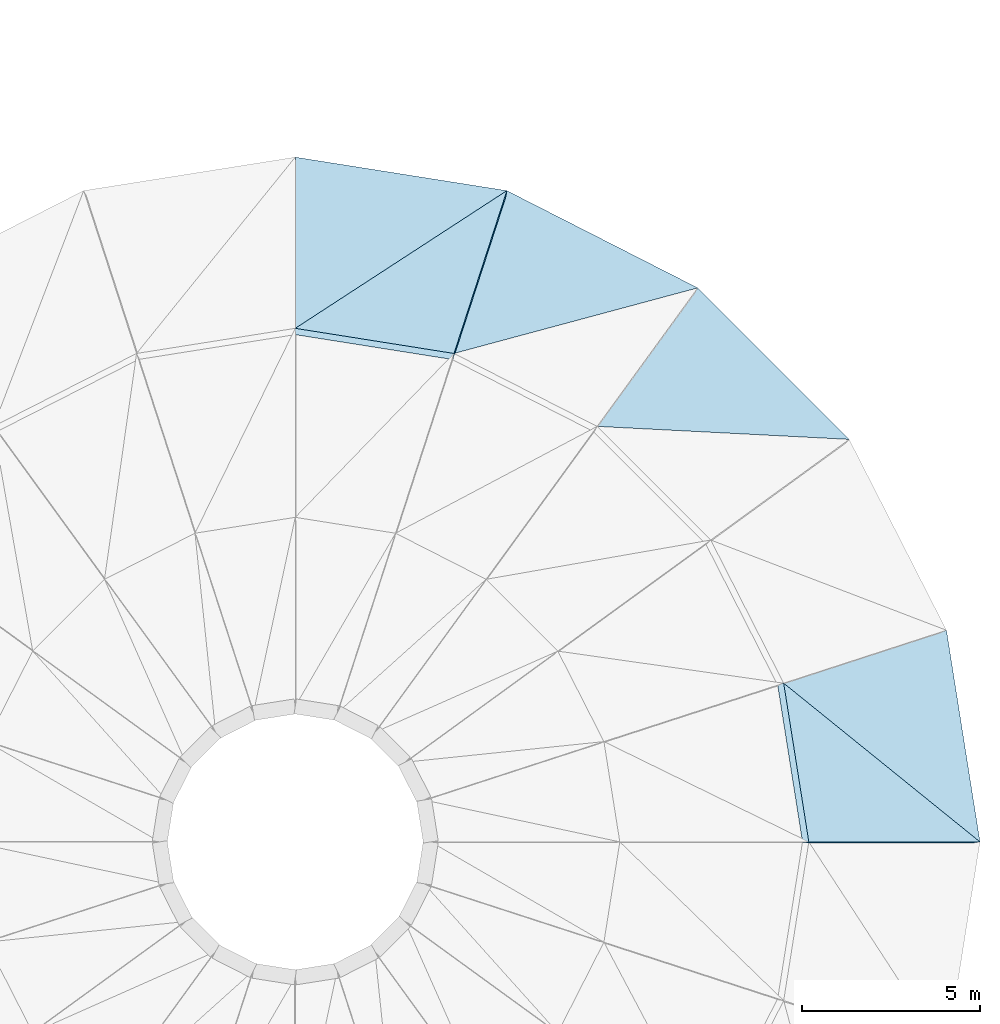
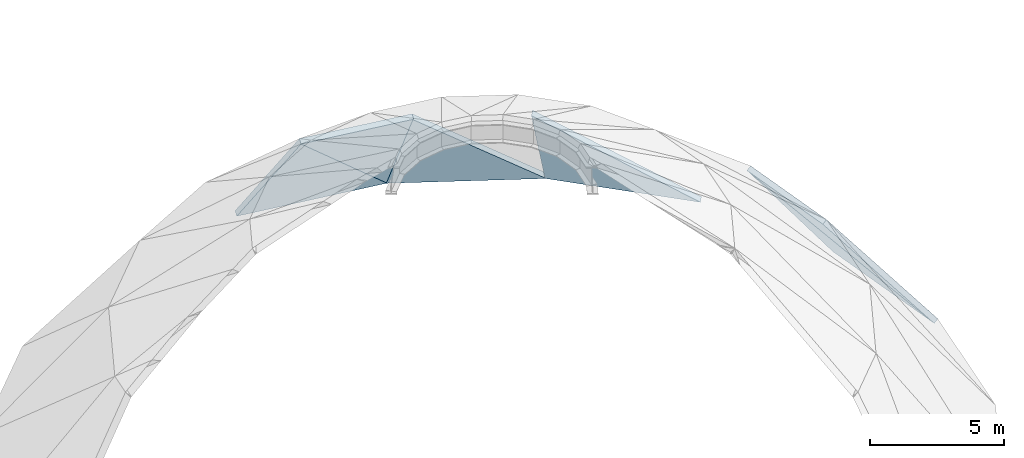
# One storey, part 8 of 9: 6 roofs.
"""IFC4 building model written with IfcOpenShell, lengths in metres."""

import ifcopenshell
import ifcopenshell.guid

model = None  # the IFC model being written
_history = None  # IfcOwnerHistory: only IFC2X3 demands one
_inside = {}  # id of a spatial element -> (the spatial element, [elements in it])
_under = {}  # id of a project, library or spatial element -> (it, [spatial elements below it])
_declared = {}  # id of a project -> (the project, [libraries it declares])
_typed = {}  # id of a type object -> (the type object, [elements of that type])
_made_of = {}  # id of a material, layer set ... -> (it, [elements and type objects made of it])


def new_model(schema):
    """Start an empty IFC model of exactly this schema.

    Asked for "IFC4X3", IfcOpenShell would pick the latest addendum, in which some entities
    have other attributes; the version numbers below select the first issue.
    IFC2X3 requires an IfcOwnerHistory on every rooted entity: one is made here for all.
    """
    global model, _history
    if schema == "IFC4X3":
        model = ifcopenshell.file(schema_version=(4, 3, 0, 0))
    else:
        model = ifcopenshell.file(schema=schema)
    _inside.clear()
    _under.clear()
    _declared.clear()
    _typed.clear()
    _made_of.clear()
    _history = None
    if model.schema == "IFC2X3":
        org = make("IfcOrganization", Name="unknown")
        user = make(
            "IfcPersonAndOrganization",
            ThePerson=make("IfcPerson", FamilyName="unknown"),
            TheOrganization=org,
        )
        app = make(
            "IfcApplication",
            ApplicationDeveloper=org,
            Version="unknown",
            ApplicationFullName="unknown",
            ApplicationIdentifier="unknown",
        )
        _history = make(
            "IfcOwnerHistory",
            OwningUser=user,
            OwningApplication=app,
            ChangeAction="ADDED",
            CreationDate=0,
        )
    return model


def make(cls, **values):
    """One entity of the class cls with the attributes given. An attribute that is None is left unset."""
    return model.create_entity(
        cls, **{name: value for name, value in values.items() if value is not None}
    )


def rooted(cls, **values):
    """An entity with a GlobalId (a new one), such as an element, a storey or a relation."""
    return make(cls, GlobalId=ifcopenshell.guid.new(), OwnerHistory=_history, **values)


def si_unit(unit_type, name, prefix=None):
    """IfcSIUnit, for example si_unit("LENGTHUNIT", "METRE", prefix="MILLI")."""
    return make("IfcSIUnit", UnitType=unit_type, Prefix=prefix, Name=name)


def assignment(units):
    """IfcUnitAssignment: the units of a project."""
    return None if units is None else make("IfcUnitAssignment", Units=units)


def point(xyz):
    """IfcCartesianPoint."""
    return None if xyz is None else make("IfcCartesianPoint", Coordinates=xyz)


def direction(xyz):
    """IfcDirection."""
    return None if xyz is None else make("IfcDirection", DirectionRatios=xyz)


def frame(location, z_axis=None, x_axis=None):
    """IfcAxis2Placement3D, a coordinate frame: its origin and axes. An axis left out is left unset."""
    return make(
        "IfcAxis2Placement3D",
        Location=point(location),
        Axis=direction(z_axis),
        RefDirection=direction(x_axis),
    )


def origin():
    """The frame at (0, 0, 0) with its axes left unset."""
    return frame((0.0, 0.0, 0.0))


def place(relative_to, where):
    """IfcLocalPlacement: puts the frame where relative to a parent placement (None: the world)."""
    return make(
        "IfcLocalPlacement", PlacementRelTo=relative_to, RelativePlacement=where
    )


def context(
    kind, dimensions, precision=None, world=None, true_north=None, identifier=None
):
    """IfcGeometricRepresentationContext, for example the 3D "Model" context."""
    return make(
        "IfcGeometricRepresentationContext",
        ContextIdentifier=identifier,
        ContextType=kind,
        CoordinateSpaceDimension=dimensions,
        Precision=precision,
        WorldCoordinateSystem=world,
        TrueNorth=true_north,
    )


def subcontext(parent, identifier, kind, view, scale=None):
    """IfcGeometricRepresentationSubContext, for example "Body" below "Model"."""
    return make(
        "IfcGeometricRepresentationSubContext",
        ContextIdentifier=identifier,
        ContextType=kind,
        ParentContext=parent,
        TargetScale=scale,
        TargetView=view,
    )


def project(units=None, contexts=None):
    """IfcProject with its units and contexts."""
    return rooted(
        "IfcProject",
        Name="project",
        RepresentationContexts=contexts,
        UnitsInContext=assignment(units),
    )


def spatial(cls, under=None, at=None, **own):
    """A site, building, storey or space (cls), placed at a placement, below another one or the project."""
    s = rooted(cls, ObjectPlacement=at, **own)
    if under is not None:
        _under.setdefault(under.id(), (under, []))[1].append(s)
    return s


def polyline(points):
    """IfcPolyline through the points."""
    return make("IfcPolyline", Points=[point(p) for p in points])


def outline(outer, holes=None, kind="AREA"):
    """IfcArbitraryClosedProfileDef: a profile drawn as a closed curve; with holes, ...WithVoids."""
    if holes is None:
        return make("IfcArbitraryClosedProfileDef", ProfileType=kind, OuterCurve=outer)
    return make(
        "IfcArbitraryProfileDefWithVoids",
        ProfileType=kind,
        OuterCurve=outer,
        InnerCurves=holes,
    )


def extrude(swept, where, along, depth):
    """IfcExtrudedAreaSolid: the profile swept, set in the frame where, extruded along a direction by depth."""
    return make(
        "IfcExtrudedAreaSolid",
        SweptArea=swept,
        Position=where,
        ExtrudedDirection=direction(along),
        Depth=depth,
    )


def shape(context_of_items, identifier, shape_type, items):
    """IfcShapeRepresentation: the items that make up one representation, for example the "Body"."""
    return make(
        "IfcShapeRepresentation",
        ContextOfItems=context_of_items,
        RepresentationIdentifier=identifier,
        RepresentationType=shape_type,
        Items=items,
    )


def material(Name=None, Category=None):
    """IfcMaterial."""
    return make("IfcMaterial", Name=Name, Category=Category)


def layer(
    of_material, thickness, ventilated=None, Name=None, Category=None, Priority=None
):
    """IfcMaterialLayer: one layer of a wall or slab, of a material (None: an air gap)."""
    return make(
        "IfcMaterialLayer",
        Material=of_material,
        LayerThickness=thickness,
        IsVentilated=ventilated,
        Name=Name,
        Category=Category,
        Priority=Priority,
    )


def layer_set(layers, Name=None):
    """IfcMaterialLayerSet."""
    return make("IfcMaterialLayerSet", MaterialLayers=layers, LayerSetName=Name)


def made_of(thing, what):
    """Note that an element or type object is made of a material, layer set ...; save() writes the relation."""
    if what is not None:
        _made_of.setdefault(what.id(), (what, []))[1].append(thing)
    return thing


def type_object(cls, material=None, **own):
    """A type object (cls), such as IfcWallType, which elements share."""
    return made_of(rooted(cls, **own), material)


def element(
    cls,
    number,
    at=None,
    inside=None,
    cuts=None,
    type_object=None,
    material=None,
    context=None,
    identifier="Body",
    shape_type=None,
    held_by="IfcProductDefinitionShape",
    body=None,
    shapes=None,
    **own,
):
    """One element of the class cls, such as IfcWall. Its Tag is "e" and its number.

    at: its placement. inside: the storey or other place that contains it. cuts: it is an
    opening in that element (IfcRelVoidsElement). A single representation is given by context,
    identifier, shape_type and body (its items); several are given by shapes. held_by: the class
    of the entity that holds the representations. save() writes the other relations.
    """
    e = rooted(cls, Tag="e%d" % number, ObjectPlacement=at, **own)
    if body is not None:
        shapes = [shape(context, identifier, shape_type, body)]
    if shapes is not None:
        e.Representation = make(held_by, Representations=shapes)
    if inside is not None:
        _inside.setdefault(inside.id(), (inside, []))[1].append(e)
    if cuts is not None:
        rooted(
            "IfcRelVoidsElement", RelatingBuildingElement=cuts, RelatedOpeningElement=e
        )
    if type_object is not None:
        _typed.setdefault(type_object.id(), (type_object, []))[1].append(e)
    return made_of(e, material)


def aggregate(whole, parts):
    """IfcRelAggregates: a whole, such as a stair, and the parts it consists of."""
    return rooted("IfcRelAggregates", RelatingObject=whole, RelatedObjects=parts)


def save(model, path):
    """Write the relations noted so far, then the file.

    IfcRelAggregates (storeys below a building ...), IfcRelContainedInSpatialStructure (elements
    in a storey), IfcRelDefinesByType, IfcRelAssociatesMaterial and IfcRelDeclares: one each for
    every whole, place, type object, material and project.
    """
    for whole, parts in _under.values():
        aggregate(whole, parts)
    for where, things in _inside.values():
        rooted(
            "IfcRelContainedInSpatialStructure",
            RelatedElements=things,
            RelatingStructure=where,
        )
    for kind, things in _typed.values():
        rooted("IfcRelDefinesByType", RelatedObjects=things, RelatingType=kind)
    for what, things in _made_of.values():
        rooted("IfcRelAssociatesMaterial", RelatedObjects=things, RelatingMaterial=what)
    for by, libraries in _declared.values():
        rooted("IfcRelDeclares", RelatingContext=by, RelatedDefinitions=libraries)
    model.write(path)


model = new_model("IFC4")

# Units and contexts
model_context = context("Model", 3, precision=1e-05, world=origin(), true_north=direction((0.0, 1.0)))
body_context = subcontext(model_context, "Body", "Model", "MODEL_VIEW")
ifc_project = project(units=[si_unit("LENGTHUNIT", "METRE"), si_unit("AREAUNIT", "SQUARE_METRE"), si_unit("VOLUMEUNIT", "CUBIC_METRE"), si_unit("PLANEANGLEUNIT", "RADIAN"), si_unit("MASSUNIT", "GRAM", prefix="KILO")], contexts=[model_context])

# Site, building, storey
site_placement = place(None, origin())
site = spatial("IfcSite", under=ifc_project, at=site_placement, CompositionType="ELEMENT")
building_placement = place(site_placement, origin())
building = spatial("IfcBuilding", under=site, at=building_placement, Name="Sefraquen Railside Congress Hotel", CompositionType="ELEMENT")
storey_placement = place(building_placement, frame((0.0, 0.0, 51.60009765625)))
storey = spatial("IfcBuildingStorey", under=building, at=storey_placement, Name="RF", CompositionType="ELEMENT", Elevation=51.60009765625)

# Roofs
ifc_material = material(Name="Verdigris patinated copper over insulated steel deck", Category="steel")
ifc_layer = layer(ifc_material, 0.219970703125)
ifc_layer_set = layer_set([ifc_layer], Name="Verdigris patinated copper over insulated steel deck")
roof_type = type_object("IfcRoofType", Name="TRF-DOME-01", PredefinedType="DOME_ROOF", material=ifc_layer_set)
roof_1_placement = place(storey_placement, frame((83.39990234375, 27.0, -30.47998046875), z_axis=(0.784599442574, 0.124266449447, 0.607422064347), x_axis=(-0.156432138959, 0.987688709007, 0.0)))
element("IfcRoof", 1, at=roof_1_placement, inside=storey, type_object=roof_type, Name="Congress Dome shell gore 01.1A", PredefinedType="DOME_ROOF", context=body_context, shape_type="SweptSolid", body=[
    extrude(outline(polyline([(0.0, 0.0), (6.007060134070098, 0.0), (5.25602779479198, 7.804774559579911), (0.0, 0.0)])), origin(), (0.0, 0.0, -1.0), 0.219970703125),
])
roof_2_placement = place(storey_placement, frame((83.39990234375, 27.0, -30.47998046875), z_axis=(0.784602907949, 0.124281169497, 0.607414576502), x_axis=(-0.585003195876, 0.472890772521, 0.658897243946)))
element("IfcRoof", 2, at=roof_2_placement, inside=storey, type_object=roof_type, Name="Congress Dome shell gore 01.1B", PredefinedType="DOME_ROOF", context=body_context, shape_type="SweptSolid", body=[
    extrude(outline(polyline([(0.0, 0.0), (9.409587350436343, 4.440892098500626e-16), (6.893031821516154, 3.7367943319571193), (0.0, 0.0)])), origin(), (0.0, 0.0, -1.0), 0.219970703125),
])
roof_3_placement = place(storey_placement, frame((79.733154296875, 38.285400390625, -30.47998046875), z_axis=(0.561717510109, 0.561685225638, 0.607439829231), x_axis=(-0.707086459982, 0.707127101807, 0.0)))
element("IfcRoof", 3, at=roof_3_placement, inside=storey, type_object=roof_type, Name="Congress Dome shell gore 03.1A", PredefinedType="DOME_ROOF", context=body_context, shape_type="SweptSolid", body=[
    extrude(outline(polyline([(0.0, 0.0), (6.007127606227723, 0.0), (5.256208303659012, 7.8049080269185485), (0.0, 0.0)])), origin(), (0.0, 0.0, -1.0), 0.219970703125),
])
roof_4_placement = place(storey_placement, frame((75.485595703125, 42.533203125, -30.47998046875), z_axis=(0.360620313656, 0.707810184117, 0.60741891034), x_axis=(-0.891020266674, 0.453963527584, 0.0)))
element("IfcRoof", 4, at=roof_4_placement, inside=storey, type_object=roof_type, Name="Congress Dome shell gore 04.1A", PredefinedType="DOME_ROOF", context=body_context, shape_type="SweptSolid", body=[
    extrude(outline(polyline([(0.0, 0.0), (6.0072023754077595, 0.0), (5.256406008533197, 7.804750864694956), (0.0, 0.0)])), origin(), (0.0, 0.0, -1.0), 0.219970703125),
])
roof_5_placement = place(storey_placement, frame((70.133056640625, 45.26025390625, -30.47998046875), z_axis=(0.124264885067, 0.784589565315, 0.607435142495), x_axis=(-0.987688709007, 0.156432138959, 0.0)))
element("IfcRoof", 5, at=roof_5_placement, inside=storey, type_object=roof_type, Name="Congress Dome shell gore 05.1A", PredefinedType="DOME_ROOF", context=body_context, shape_type="SweptSolid", body=[
    extrude(outline(polyline([(0.0, 0.0), (6.007060134070098, 1.1102230246251565e-16), (5.256178228781198, 7.804872814487631), (0.0, 0.0)])), origin(), (0.0, 0.0, -1.0), 0.219970703125),
])
roof_6_placement = place(storey_placement, frame((70.133056640625, 45.26025390625, -30.47998046875), z_axis=(0.124232320633, 0.784609323695, 0.607416282035), x_axis=(-0.630527235491, -0.410250047222, 0.65888565325)))
element("IfcRoof", 6, at=roof_6_placement, inside=storey, type_object=roof_type, Name="Congress Dome shell gore 05.1B", PredefinedType="DOME_ROOF", context=body_context, shape_type="SweptSolid", body=[
    extrude(outline(polyline([(0.0, 0.0), (9.40975287789438, -4.440892098500626e-16), (6.892995484093467, 3.7369030627962205), (0.0, 0.0)])), origin(), (0.0, 0.0, -1.0), 0.219970703125),
])

save(model, "model.ifc")
